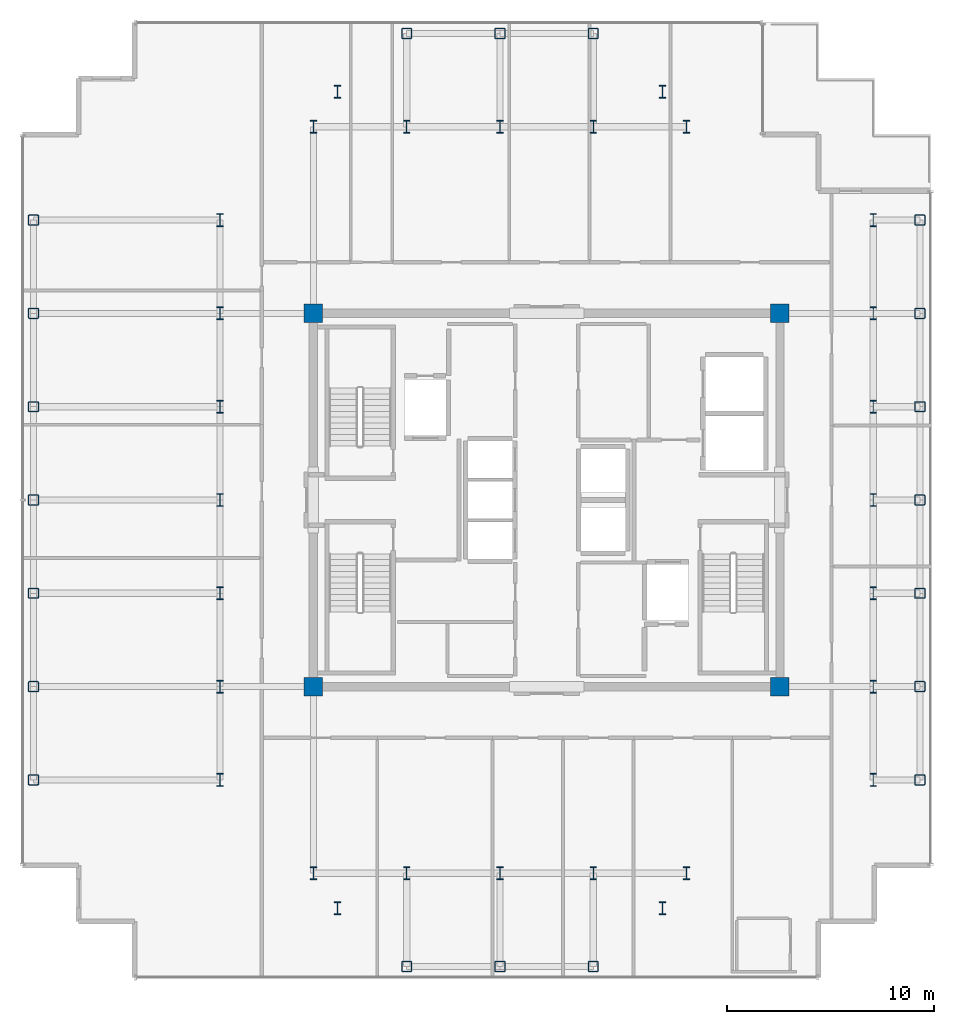
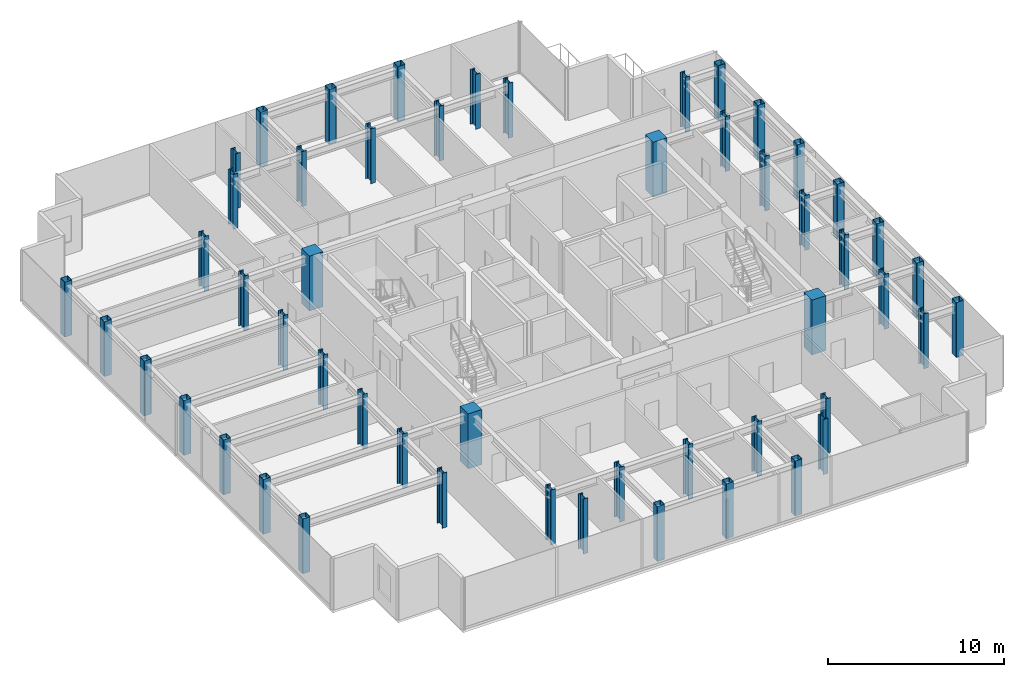
# One storey, part 1 of 17: 52 columns.
"""IFC4 building model written with IfcOpenShell, lengths in metres."""

from ifc_helpers import new_model, si_unit, direction, frame, origin, origin_2d, place, context, subcontext, project, spatial, rectangle, hollow_rectangle, i_section, extrude, source, transform, mapped, material, material_profile, profile_set, type_object, element, save


model = new_model("IFC4")

# Units and contexts
model_context = context("Model", 3, precision=1e-05, world=origin(), true_north=direction((0.0, 1.0)))
body_context = subcontext(model_context, "Body", "Model", "MODEL_VIEW")
ifc_project = project(units=[si_unit("LENGTHUNIT", "METRE"), si_unit("AREAUNIT", "SQUARE_METRE"), si_unit("VOLUMEUNIT", "CUBIC_METRE"), si_unit("PLANEANGLEUNIT", "RADIAN"), si_unit("MASSUNIT", "GRAM", prefix="KILO")], contexts=[model_context])

# Site, building, storey
site_placement = place(None, origin())
site = spatial("IfcSite", under=ifc_project, at=site_placement, CompositionType="ELEMENT")
building_placement = place(site_placement, origin())
building = spatial("IfcBuilding", under=site, at=building_placement, Name="Nefas-Gora Pilgrimage Tower", CompositionType="ELEMENT")
storey_placement = place(building_placement, frame((0.0, 0.0, 337.60009765625)))
storey = spatial("IfcBuildingStorey", under=building, at=storey_placement, Name="L85", CompositionType="ELEMENT", Elevation=337.60009765625)

# Columns
ifc_material_1 = material(Name="Steel S355", Category="steel")
ifc_material_profile_1 = material_profile(ifc_material_1, i_section(OverallWidth=0.304931640625, OverallDepth=0.6201171875, WebThickness=0.02099609375, FlangeThickness=0.0400390625, FilletRadius=0.027099609375, at=origin_2d()), Name="HEM 600")
ifc_profile_set_1 = profile_set([ifc_material_profile_1], Name="Steel S355")
column_type_1 = type_object("IfcColumnType", Name="COL-WEB-HEM600", PredefinedType="COLUMN", material=ifc_profile_set_1)
shared_shape_1 = source(origin(), body_context, "Body", "SweptSolid", [
    extrude(i_section(OverallWidth=0.304931640625, OverallDepth=0.6201171875, WebThickness=0.02099609375, FlangeThickness=0.0400390625, FilletRadius=0.027099609375, at=origin_2d()), origin(), (0.0, 0.0, 1.0), 3.7998046875),
])
for number, where, z_axis, x_axis, name in (
    (1, (-15.75, -13.5, 0.0), (0.0, 0.0, 1.0), (1.0, 0.0, 0.0), "L85 Tower Column CW-03.8"),
    (2, (-15.75, -9.0, 0.0), (0.0, 0.0, 1.0), (1.0, 0.0, 0.0), "L85 Tower Column CW-03.9"),
    (3, (-15.75, -4.5, 0.0), (0.0, 0.0, 1.0), (1.0, 0.0, 0.0), "L85 Tower Column CW-03.10"),
    (4, (-15.75, 0.0, 0.0), (0.0, 0.0, 1.0), (1.0, 0.0, 0.0), "L85 Tower Column CW-03.11"),
    (5, (-15.75, 4.5, 0.0), (0.0, 0.0, 1.0), (1.0, 0.0, 0.0), "L85 Tower Column CW-03.12"),
    (6, (-15.75, 9.0, 0.0), (0.0, 0.0, 1.0), (1.0, 0.0, 0.0), "L85 Tower Column CW-03.13"),
    (7, (-15.75, 13.5, 0.0), (0.0, 0.0, 1.0), (1.0, 0.0, 0.0), "L85 Tower Column CW-03.14"),
    (8, (-11.25, -18.0, 0.0), (0.0, 0.0, 1.0), (1.0, 0.0, 0.0), "L85 Tower Column CW-03.15"),
    (9, (-11.25, 18.0, 0.0), (0.0, 0.0, 1.0), (1.0, 0.0, 0.0), "L85 Tower Column CW-03.18"),
    (10, (-10.091064453125, -19.696044921875, 0.0), (0.0, 0.0, 1.0), (1.0, 0.0, 0.0), "L85 Tower Column CW-03.19"),
    (11, (-10.091064453125, 19.696044921875, 0.0), (0.0, 0.0, 1.0), (1.0, 0.0, 0.0), "L85 Tower Column CW-03.20"),
    (12, (-6.75, -18.0, 0.0), (0.0, 0.0, 1.0), (1.0, 0.0, 0.0), "L85 Tower Column CW-03.22"),
    (13, (-6.75, 18.0, 0.0), (0.0, 0.0, 1.0), (1.0, 0.0, 0.0), "L85 Tower Column CW-03.23"),
    (14, (-2.25, -18.0, 0.0), (0.0, 0.0, 1.0), (1.0, 0.0, 0.0), "L85 Tower Column CW-03.26"),
    (15, (-2.25, 18.0, 0.0), (0.0, 0.0, 1.0), (1.0, 0.0, 0.0), "L85 Tower Column CW-03.27"),
    (16, (2.25, -18.0, 0.0), (0.0, 0.0, 1.0), (1.0, 0.0, 0.0), "L85 Tower Column CW-03.30"),
    (17, (2.25, 18.0, 0.0), (0.0, 0.0, 1.0), (1.0, 0.0, 0.0), "L85 Tower Column CW-03.31"),
    (18, (5.591064453125, -19.696044921875, 0.0), (0.0, 0.0, 1.0), (1.0, 0.0, 0.0), "L85 Tower Column CW-03.33"),
    (19, (5.591064453125, 19.696044921875, 0.0), (0.0, 0.0, 1.0), (1.0, 0.0, 0.0), "L85 Tower Column CW-03.34"),
    (20, (6.75, -18.0, 0.0), (0.0, 0.0, 1.0), (1.0, 0.0, 0.0), "L85 Tower Column CW-03.35"),
    (21, (6.75, 18.0, 0.0), (0.0, 0.0, 1.0), (1.0, 0.0, 0.0), "L85 Tower Column CW-03.36"),
    (22, (15.75, -13.5, 0.0), (0.0, 0.0, 1.0), (1.0, 0.0, 0.0), "L85 Tower Column CW-03.39"),
    (23, (15.75, -9.0, 0.0), (0.0, 0.0, 1.0), (1.0, 0.0, 0.0), "L85 Tower Column CW-03.40"),
    (24, (15.75, -4.5, 0.0), (0.0, 0.0, 1.0), (1.0, 0.0, 0.0), "L85 Tower Column CW-03.41"),
    (25, (15.75, 0.0, 0.0), (0.0, 0.0, 1.0), (1.0, 0.0, 0.0), "L85 Tower Column CW-03.42"),
    (26, (15.75, 4.5, 0.0), (0.0, 0.0, 1.0), (1.0, 0.0, 0.0), "L85 Tower Column CW-03.43"),
    (27, (15.75, 9.0, 0.0), (0.0, 0.0, 1.0), (1.0, 0.0, 0.0), "L85 Tower Column CW-03.44"),
    (28, (15.75, 13.5, 0.0), (0.0, 0.0, 1.0), (1.0, 0.0, 0.0), "L85 Tower Column CW-03.45"),
):
    element("IfcColumn", number, at=place(storey_placement, frame(where, z_axis=z_axis, x_axis=x_axis)), inside=storey, type_object=column_type_1, Name=name, PredefinedType="COLUMN", context=body_context, shape_type="MappedRepresentation", body=[
        mapped(shared_shape_1, transform((0.0, 0.0, 0.0), x_axis=(1.0, 0.0, 0.0), y_axis=(0.0, 1.0, 0.0), z_axis=(0.0, 0.0, 1.0), scale=1.0)),
    ])
ifc_material_profile_2 = material_profile(ifc_material_1, hollow_rectangle(XDim=0.5, YDim=0.5, WallThickness=0.02490234375, InnerFilletRadius=0.02490234375, OuterFilletRadius=0.050048828125, at=origin_2d()), Name="SHS 500x500x25")
ifc_profile_set_2 = profile_set([ifc_material_profile_2], Name="Steel S355")
column_type_2 = type_object("IfcColumnType", Name="COL-TUBE-500", PredefinedType="COLUMN", material=ifc_profile_set_2)
shared_shape_2 = source(origin(), body_context, "Body", "SweptSolid", [
    extrude(hollow_rectangle(XDim=0.5, YDim=0.5, WallThickness=0.02490234375, InnerFilletRadius=0.02490234375, OuterFilletRadius=0.050048828125, at=origin_2d()), origin(), (0.0, 0.0, 1.0), 3.7998046875),
])
for number, where, z_axis, x_axis, name in (
    (29, (-24.75, -13.5, 0.0), (0.0, 0.0, 1.0), (1.0, 0.0, 0.0), "L85 Tower Column C-Z4.1"),
    (30, (-24.75, -9.0, 0.0), (0.0, 0.0, 1.0), (1.0, 0.0, 0.0), "L85 Tower Column C-Z4.2"),
    (31, (-24.75, -4.5, 0.0), (0.0, 0.0, 1.0), (1.0, 0.0, 0.0), "L85 Tower Column C-Z4.3"),
    (32, (-24.75, 0.0, 0.0), (0.0, 0.0, 1.0), (1.0, 0.0, 0.0), "L85 Tower Column C-Z4.4"),
    (33, (-24.75, 4.5, 0.0), (0.0, 0.0, 1.0), (1.0, 0.0, 0.0), "L85 Tower Column C-Z4.5"),
    (34, (-24.75, 9.0, 0.0), (0.0, 0.0, 1.0), (1.0, 0.0, 0.0), "L85 Tower Column C-Z4.6"),
    (35, (-24.75, 13.5, 0.0), (0.0, 0.0, 1.0), (1.0, 0.0, 0.0), "L85 Tower Column C-Z4.7"),
    (36, (-6.75, -22.5, 0.0), (0.0, 0.0, 1.0), (1.0, 0.0, 0.0), "L85 Tower Column C-Z4.21"),
    (37, (-6.75, 22.5, 0.0), (0.0, 0.0, 1.0), (1.0, 0.0, 0.0), "L85 Tower Column C-Z4.24"),
    (38, (-2.25, -22.5, 0.0), (0.0, 0.0, 1.0), (1.0, 0.0, 0.0), "L85 Tower Column C-Z4.25"),
    (39, (-2.25, 22.5, 0.0), (0.0, 0.0, 1.0), (1.0, 0.0, 0.0), "L85 Tower Column C-Z4.28"),
    (40, (2.25, -22.5, 0.0), (0.0, 0.0, 1.0), (1.0, 0.0, 0.0), "L85 Tower Column C-Z4.29"),
    (41, (2.25, 22.5, 0.0), (0.0, 0.0, 1.0), (1.0, 0.0, 0.0), "L85 Tower Column C-Z4.32"),
    (42, (18.0, -13.5, 0.0), (0.0, 0.0, 1.0), (1.0, 0.0, 0.0), "L85 Tower Column C-Z4.46"),
    (43, (18.0, -9.0, 0.0), (0.0, 0.0, 1.0), (1.0, 0.0, 0.0), "L85 Tower Column C-Z4.47"),
    (44, (18.0, -4.5, 0.0), (0.0, 0.0, 1.0), (1.0, 0.0, 0.0), "L85 Tower Column C-Z4.48"),
    (45, (18.0, 0.0, 0.0), (0.0, 0.0, 1.0), (1.0, 0.0, 0.0), "L85 Tower Column C-Z4.49"),
    (46, (18.0, 4.5, 0.0), (0.0, 0.0, 1.0), (1.0, 0.0, 0.0), "L85 Tower Column C-Z4.50"),
    (47, (18.0, 9.0, 0.0), (0.0, 0.0, 1.0), (1.0, 0.0, 0.0), "L85 Tower Column C-Z4.51"),
    (48, (18.0, 13.5, 0.0), (0.0, 0.0, 1.0), (1.0, 0.0, 0.0), "L85 Tower Column C-Z4.52"),
):
    element("IfcColumn", number, at=place(storey_placement, frame(where, z_axis=z_axis, x_axis=x_axis)), inside=storey, type_object=column_type_2, Name=name, PredefinedType="COLUMN", context=body_context, shape_type="MappedRepresentation", body=[
        mapped(shared_shape_2, transform((0.0, 0.0, 0.0), x_axis=(1.0, 0.0, 0.0), y_axis=(0.0, 1.0, 0.0), z_axis=(0.0, 0.0, 1.0), scale=1.0)),
    ])
ifc_material_2 = material(Name="Concrete C50/60", Category="concrete")
ifc_material_profile_3 = material_profile(ifc_material_2, rectangle(XDim=0.89990234375, YDim=0.89990234375, at=origin_2d()), Name="RC 900x900")
ifc_profile_set_3 = profile_set([ifc_material_profile_3], Name="Concrete C50/60")
column_type_3 = type_object("IfcColumnType", Name="COL-RC-900", PredefinedType="COLUMN", material=ifc_profile_set_3)
shared_shape_3 = source(origin(), body_context, "Body", "SweptSolid", [
    extrude(rectangle(XDim=0.89990234375, YDim=0.89990234375, at=origin_2d()), origin(), (0.0, 0.0, 1.0), 3.7998046875),
])
for number, where, z_axis, x_axis, name in (
    (49, (-11.25, -9.0, 0.0), (0.0, 0.0, 1.0), (1.0, 0.0, 0.0), "L85 Tower Column CRC-02.16"),
    (50, (-11.25, 9.0, 0.0), (0.0, 0.0, 1.0), (1.0, 0.0, 0.0), "L85 Tower Column CRC-02.17"),
    (51, (11.25, -9.0, 0.0), (0.0, 0.0, 1.0), (1.0, 0.0, 0.0), "L85 Tower Column CRC-02.37"),
    (52, (11.25, 9.0, 0.0), (0.0, 0.0, 1.0), (1.0, 0.0, 0.0), "L85 Tower Column CRC-02.38"),
):
    element("IfcColumn", number, at=place(storey_placement, frame(where, z_axis=z_axis, x_axis=x_axis)), inside=storey, type_object=column_type_3, Name=name, PredefinedType="COLUMN", context=body_context, shape_type="MappedRepresentation", body=[
        mapped(shared_shape_3, transform((0.0, 0.0, 0.0), x_axis=(1.0, 0.0, 0.0), y_axis=(0.0, 1.0, 0.0), z_axis=(0.0, 0.0, 1.0), scale=1.0)),
    ])

save(model, "model.ifc")
